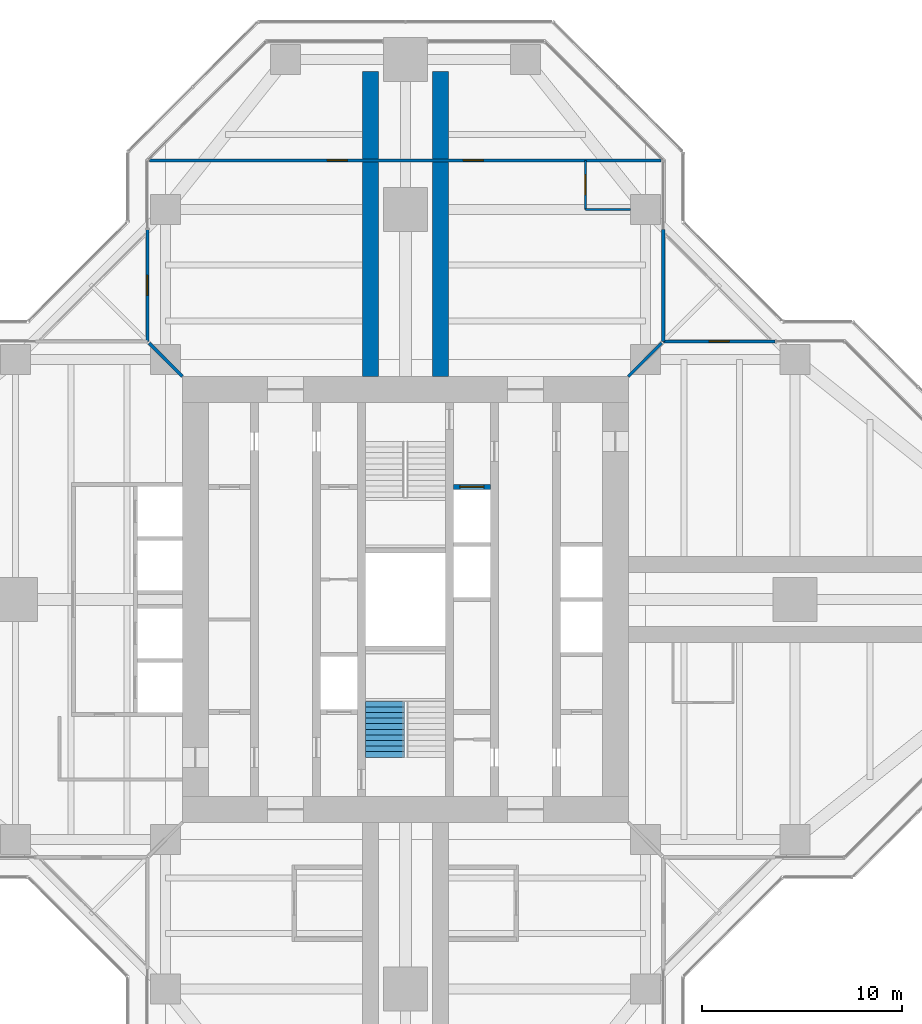
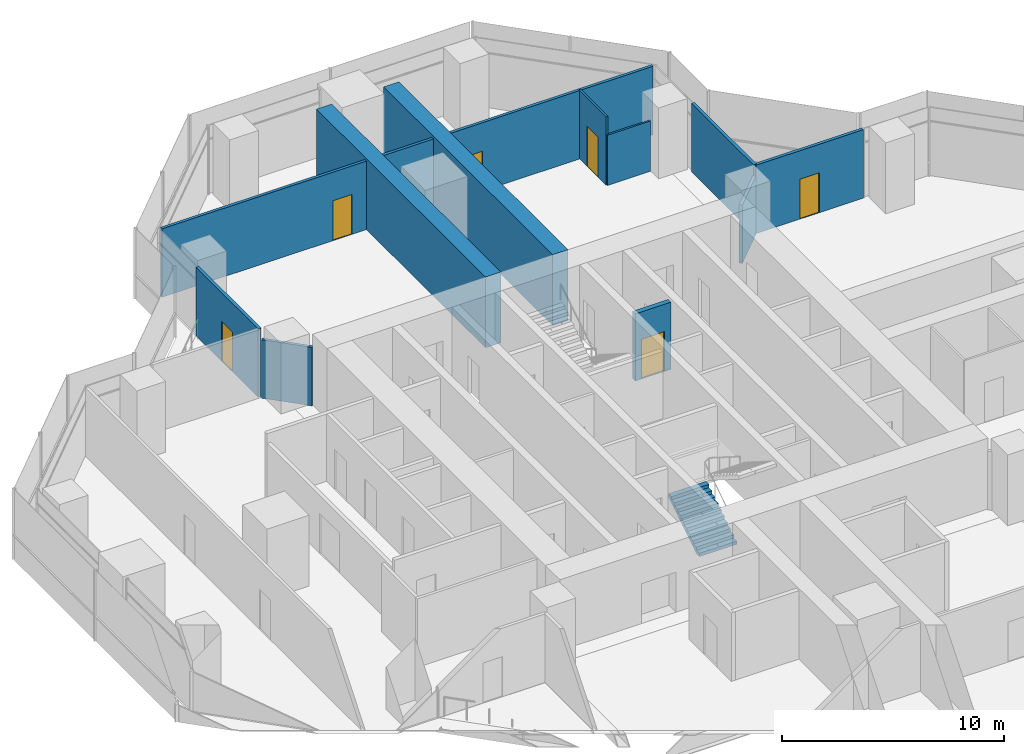
# One storey, part 15 of 17: 11 walls, 6 doors, 1 stair flight, 6 openings, 1 element without a shape of its own.
"""IFC4 building model written with IfcOpenShell, lengths in metres."""

import ifcopenshell
import ifcopenshell.guid

model = None  # the IFC model being written
_history = None  # IfcOwnerHistory: only IFC2X3 demands one
_inside = {}  # id of a spatial element -> (the spatial element, [elements in it])
_under = {}  # id of a project, library or spatial element -> (it, [spatial elements below it])
_declared = {}  # id of a project -> (the project, [libraries it declares])
_typed = {}  # id of a type object -> (the type object, [elements of that type])
_made_of = {}  # id of a material, layer set ... -> (it, [elements and type objects made of it])


def new_model(schema):
    """Start an empty IFC model of exactly this schema.

    Asked for "IFC4X3", IfcOpenShell would pick the latest addendum, in which some entities
    have other attributes; the version numbers below select the first issue.
    IFC2X3 requires an IfcOwnerHistory on every rooted entity: one is made here for all.
    """
    global model, _history
    if schema == "IFC4X3":
        model = ifcopenshell.file(schema_version=(4, 3, 0, 0))
    else:
        model = ifcopenshell.file(schema=schema)
    _inside.clear()
    _under.clear()
    _declared.clear()
    _typed.clear()
    _made_of.clear()
    _history = None
    if model.schema == "IFC2X3":
        org = make("IfcOrganization", Name="unknown")
        user = make(
            "IfcPersonAndOrganization",
            ThePerson=make("IfcPerson", FamilyName="unknown"),
            TheOrganization=org,
        )
        app = make(
            "IfcApplication",
            ApplicationDeveloper=org,
            Version="unknown",
            ApplicationFullName="unknown",
            ApplicationIdentifier="unknown",
        )
        _history = make(
            "IfcOwnerHistory",
            OwningUser=user,
            OwningApplication=app,
            ChangeAction="ADDED",
            CreationDate=0,
        )
    return model


def make(cls, **values):
    """One entity of the class cls with the attributes given. An attribute that is None is left unset."""
    return model.create_entity(
        cls, **{name: value for name, value in values.items() if value is not None}
    )


def rooted(cls, **values):
    """An entity with a GlobalId (a new one), such as an element, a storey or a relation."""
    return make(cls, GlobalId=ifcopenshell.guid.new(), OwnerHistory=_history, **values)


def si_unit(unit_type, name, prefix=None):
    """IfcSIUnit, for example si_unit("LENGTHUNIT", "METRE", prefix="MILLI")."""
    return make("IfcSIUnit", UnitType=unit_type, Prefix=prefix, Name=name)


def assignment(units):
    """IfcUnitAssignment: the units of a project."""
    return None if units is None else make("IfcUnitAssignment", Units=units)


def point(xyz):
    """IfcCartesianPoint."""
    return None if xyz is None else make("IfcCartesianPoint", Coordinates=xyz)


def direction(xyz):
    """IfcDirection."""
    return None if xyz is None else make("IfcDirection", DirectionRatios=xyz)


def frame(location, z_axis=None, x_axis=None):
    """IfcAxis2Placement3D, a coordinate frame: its origin and axes. An axis left out is left unset."""
    return make(
        "IfcAxis2Placement3D",
        Location=point(location),
        Axis=direction(z_axis),
        RefDirection=direction(x_axis),
    )


def frame_2d(location, x_axis=None):
    """IfcAxis2Placement2D, a coordinate frame in the plane: its origin and x axis."""
    return make(
        "IfcAxis2Placement2D", Location=point(location), RefDirection=direction(x_axis)
    )


def origin():
    """The frame at (0, 0, 0) with its axes left unset."""
    return frame((0.0, 0.0, 0.0))


def place(relative_to, where):
    """IfcLocalPlacement: puts the frame where relative to a parent placement (None: the world)."""
    return make(
        "IfcLocalPlacement", PlacementRelTo=relative_to, RelativePlacement=where
    )


def context(
    kind, dimensions, precision=None, world=None, true_north=None, identifier=None
):
    """IfcGeometricRepresentationContext, for example the 3D "Model" context."""
    return make(
        "IfcGeometricRepresentationContext",
        ContextIdentifier=identifier,
        ContextType=kind,
        CoordinateSpaceDimension=dimensions,
        Precision=precision,
        WorldCoordinateSystem=world,
        TrueNorth=true_north,
    )


def subcontext(parent, identifier, kind, view, scale=None):
    """IfcGeometricRepresentationSubContext, for example "Body" below "Model"."""
    return make(
        "IfcGeometricRepresentationSubContext",
        ContextIdentifier=identifier,
        ContextType=kind,
        ParentContext=parent,
        TargetScale=scale,
        TargetView=view,
    )


def project(units=None, contexts=None):
    """IfcProject with its units and contexts."""
    return rooted(
        "IfcProject",
        Name="project",
        RepresentationContexts=contexts,
        UnitsInContext=assignment(units),
    )


def spatial(cls, under=None, at=None, **own):
    """A site, building, storey or space (cls), placed at a placement, below another one or the project."""
    s = rooted(cls, ObjectPlacement=at, **own)
    if under is not None:
        _under.setdefault(under.id(), (under, []))[1].append(s)
    return s


def polyline(points):
    """IfcPolyline through the points."""
    return make("IfcPolyline", Points=[point(p) for p in points])


def profile(cls, at=None, kind="AREA", **sizes):
    """A parametric profile (cls). Its sizes go by their IFC names, for example OverallWidth=200.0."""
    return make(cls, ProfileType=kind, Position=at, **sizes)


def rectangle(**sizes):
    """IfcRectangleProfileDef."""
    return profile("IfcRectangleProfileDef", **sizes)


def outline(outer, holes=None, kind="AREA"):
    """IfcArbitraryClosedProfileDef: a profile drawn as a closed curve; with holes, ...WithVoids."""
    if holes is None:
        return make("IfcArbitraryClosedProfileDef", ProfileType=kind, OuterCurve=outer)
    return make(
        "IfcArbitraryProfileDefWithVoids",
        ProfileType=kind,
        OuterCurve=outer,
        InnerCurves=holes,
    )


def extrude(swept, where, along, depth):
    """IfcExtrudedAreaSolid: the profile swept, set in the frame where, extruded along a direction by depth."""
    return make(
        "IfcExtrudedAreaSolid",
        SweptArea=swept,
        Position=where,
        ExtrudedDirection=direction(along),
        Depth=depth,
    )


def shape(context_of_items, identifier, shape_type, items):
    """IfcShapeRepresentation: the items that make up one representation, for example the "Body"."""
    return make(
        "IfcShapeRepresentation",
        ContextOfItems=context_of_items,
        RepresentationIdentifier=identifier,
        RepresentationType=shape_type,
        Items=items,
    )


def material(Name=None, Category=None):
    """IfcMaterial."""
    return make("IfcMaterial", Name=Name, Category=Category)


def layer(
    of_material, thickness, ventilated=None, Name=None, Category=None, Priority=None
):
    """IfcMaterialLayer: one layer of a wall or slab, of a material (None: an air gap)."""
    return make(
        "IfcMaterialLayer",
        Material=of_material,
        LayerThickness=thickness,
        IsVentilated=ventilated,
        Name=Name,
        Category=Category,
        Priority=Priority,
    )


def layer_set(layers, Name=None):
    """IfcMaterialLayerSet."""
    return make("IfcMaterialLayerSet", MaterialLayers=layers, LayerSetName=Name)


def made_of(thing, what):
    """Note that an element or type object is made of a material, layer set ...; save() writes the relation."""
    if what is not None:
        _made_of.setdefault(what.id(), (what, []))[1].append(thing)
    return thing


def type_object(cls, material=None, **own):
    """A type object (cls), such as IfcWallType, which elements share."""
    return made_of(rooted(cls, **own), material)


def element(
    cls,
    number,
    at=None,
    inside=None,
    cuts=None,
    type_object=None,
    material=None,
    context=None,
    identifier="Body",
    shape_type=None,
    held_by="IfcProductDefinitionShape",
    body=None,
    shapes=None,
    **own,
):
    """One element of the class cls, such as IfcWall. Its Tag is "e" and its number.

    at: its placement. inside: the storey or other place that contains it. cuts: it is an
    opening in that element (IfcRelVoidsElement). A single representation is given by context,
    identifier, shape_type and body (its items); several are given by shapes. held_by: the class
    of the entity that holds the representations. save() writes the other relations.
    """
    e = rooted(cls, Tag="e%d" % number, ObjectPlacement=at, **own)
    if body is not None:
        shapes = [shape(context, identifier, shape_type, body)]
    if shapes is not None:
        e.Representation = make(held_by, Representations=shapes)
    if inside is not None:
        _inside.setdefault(inside.id(), (inside, []))[1].append(e)
    if cuts is not None:
        rooted(
            "IfcRelVoidsElement", RelatingBuildingElement=cuts, RelatedOpeningElement=e
        )
    if type_object is not None:
        _typed.setdefault(type_object.id(), (type_object, []))[1].append(e)
    return made_of(e, material)


def fill(opening, filler):
    """IfcRelFillsElement: the door or window that sits in an opening."""
    return rooted(
        "IfcRelFillsElement",
        RelatingOpeningElement=opening,
        RelatedBuildingElement=filler,
    )


def aggregate(whole, parts):
    """IfcRelAggregates: a whole, such as a stair, and the parts it consists of."""
    return rooted("IfcRelAggregates", RelatingObject=whole, RelatedObjects=parts)


def save(model, path):
    """Write the relations noted so far, then the file.

    IfcRelAggregates (storeys below a building ...), IfcRelContainedInSpatialStructure (elements
    in a storey), IfcRelDefinesByType, IfcRelAssociatesMaterial and IfcRelDeclares: one each for
    every whole, place, type object, material and project.
    """
    for whole, parts in _under.values():
        aggregate(whole, parts)
    for where, things in _inside.values():
        rooted(
            "IfcRelContainedInSpatialStructure",
            RelatedElements=things,
            RelatingStructure=where,
        )
    for kind, things in _typed.values():
        rooted("IfcRelDefinesByType", RelatedObjects=things, RelatingType=kind)
    for what, things in _made_of.values():
        rooted("IfcRelAssociatesMaterial", RelatedObjects=things, RelatingMaterial=what)
    for by, libraries in _declared.values():
        rooted("IfcRelDeclares", RelatingContext=by, RelatedDefinitions=libraries)
    model.write(path)


model = new_model("IFC4")

# Units and contexts
model_context = context("Model", 3, precision=1e-05, world=origin(), true_north=direction((0.0, 1.0)))
body_context = subcontext(model_context, "Body", "Model", "MODEL_VIEW")
ifc_project = project(units=[si_unit("LENGTHUNIT", "METRE"), si_unit("AREAUNIT", "SQUARE_METRE"), si_unit("VOLUMEUNIT", "CUBIC_METRE"), si_unit("PLANEANGLEUNIT", "RADIAN"), si_unit("MASSUNIT", "GRAM", prefix="KILO")], contexts=[model_context])

# Site, building, storey
site_placement = place(None, origin())
site = spatial("IfcSite", under=ifc_project, at=site_placement, CompositionType="ELEMENT")
building_placement = place(site_placement, origin())
building = spatial("IfcBuilding", under=site, at=building_placement, Name="Mizan Broadcast Tower", CompositionType="ELEMENT")
storey_placement = place(building_placement, frame((0.0, 0.0, 224.39990234375)))
storey = spatial("IfcBuildingStorey", under=building, at=storey_placement, Name="L52", CompositionType="ELEMENT", Elevation=224.39990234375)

# Wall, opening, door
ifc_material_1 = material(Name="Aluminium framed glazed screen", Category="aluminium")
ifc_layer_1 = layer(ifc_material_1, 0.159912109375)
ifc_layer_set_1 = layer_set([ifc_layer_1], Name="Aluminium framed glazed screen")
wall_type_1 = type_object("IfcWallType", Name="GLAZED SCREEN WALL 160", PredefinedType="SOLIDWALL", material=ifc_layer_set_1)
wall_1_placement = place(storey_placement, frame((18.5, 12.89990234375, 0.0), z_axis=(0.0, 0.0, 1.0), x_axis=(-1.0, 0.0, 0.0)))
wall_1 = element("IfcWall", 1, at=wall_1_placement, inside=storey, type_object=wall_type_1, Name="Winter garden screen L52 E", PredefinedType="SOLIDWALL", context=body_context, shape_type="SweptSolid", body=[
    extrude(rectangle(XDim=5.60009765625, YDim=0.159912109375, at=frame_2d((2.800048828125, 0.0))), origin(), (0.0, 0.0, 1.0), 3.77001953125),
])
opening_1_placement = place(wall_1_placement, frame((2.300048828125, 0.0, 0.0)))
opening_1 = element("IfcOpeningElement", 2, at=opening_1_placement, cuts=wall_1, Name="Opening WGD", PredefinedType="OPENING", context=body_context, shape_type="SweptSolid", body=[
    extrude(rectangle(XDim=1.0, YDim=2.199951171875, at=frame_2d((0.5, 1.10009765625))), frame((0.0, 0.08984375, 0.0), z_axis=(0.0, -1.0, 0.0), x_axis=(1.0, 0.0, 0.0)), (0.0, 0.0, 1.0), 0.179931640625),
])
ifc_material_2 = material(Name="Aluminium framed glazed door", Category="aluminium")
door_type_1 = type_object("IfcDoorType", Name="WINTER GARDEN DOOR 1000 GLAZED", OperationType="SINGLE_SWING_LEFT", PredefinedType="DOOR", material=ifc_material_2)
door_1_placement = place(opening_1_placement, origin())
door_1 = element("IfcDoor", 3, at=door_1_placement, inside=storey, type_object=door_type_1, Name="Winter garden door L52 E", OperationType="SINGLE_SWING_RIGHT", OverallHeight=2.199951171875, OverallWidth=1.0, PredefinedType="DOOR", context=body_context, shape_type="SweptSolid", body=[
    extrude(rectangle(XDim=1.0, YDim=2.199951171875, at=frame_2d((0.5, 1.10009765625))), frame((0.0, 0.02490234375, 0.0), z_axis=(0.0, -1.0, 0.0), x_axis=(1.0, 0.0, 0.0)), (0.0, 0.0, 1.0), 0.050048828125),
])
fill(opening_1, door_1)

# Wall
wall_2_placement = place(storey_placement, frame((12.89990234375, 12.89990234375, 0.0), z_axis=(0.0, 0.0, 1.0), x_axis=(0.0, 1.0, 0.0)))
element("IfcWall", 4, at=wall_2_placement, inside=storey, type_object=wall_type_1, Name="Winter garden screen L52 N", PredefinedType="SOLIDWALL", context=body_context, shape_type="SweptSolid", body=[
    extrude(rectangle(XDim=5.60009765625, YDim=0.159912109375, at=frame_2d((2.800048828125, 0.0))), origin(), (0.0, 0.0, 1.0), 3.77001953125),
])

# Wall, opening, door
wall_3_placement = place(storey_placement, frame((-12.89990234375, 18.5, 0.0), z_axis=(0.0, 0.0, 1.0), x_axis=(0.0, -1.0, 0.0)))
wall_3 = element("IfcWall", 5, at=wall_3_placement, inside=storey, type_object=wall_type_1, Name="Winter garden screen L52 N", PredefinedType="SOLIDWALL", context=body_context, shape_type="SweptSolid", body=[
    extrude(rectangle(XDim=5.60009765625, YDim=0.159912109375, at=frame_2d((2.800048828125, 0.0))), origin(), (0.0, 0.0, 1.0), 3.77001953125),
])
opening_2_placement = place(wall_3_placement, frame((2.300048828125, 0.0, 0.0)))
opening_2 = element("IfcOpeningElement", 6, at=opening_2_placement, cuts=wall_3, Name="Opening WGD", PredefinedType="OPENING", context=body_context, shape_type="SweptSolid", body=[
    extrude(rectangle(XDim=1.0, YDim=2.199951171875, at=frame_2d((0.5, 1.10009765625))), frame((0.0, 0.08984375, 0.0), z_axis=(0.0, -1.0, 0.0), x_axis=(1.0, 0.0, 0.0)), (0.0, 0.0, 1.0), 0.179931640625),
])
door_2_placement = place(opening_2_placement, origin())
door_2 = element("IfcDoor", 7, at=door_2_placement, inside=storey, type_object=door_type_1, Name="Winter garden door L52 N", OperationType="SINGLE_SWING_RIGHT", OverallHeight=2.199951171875, OverallWidth=1.0, PredefinedType="DOOR", context=body_context, shape_type="SweptSolid", body=[
    extrude(rectangle(XDim=1.0, YDim=2.199951171875, at=frame_2d((0.5, 1.10009765625))), frame((0.0, 0.02490234375, 0.0), z_axis=(0.0, -1.0, 0.0), x_axis=(1.0, 0.0, 0.0)), (0.0, 0.0, 1.0), 0.050048828125),
])
fill(opening_2, door_2)

ifc_material_3 = material(Name="Concrete blockwork", Category="masonry")
ifc_layer_2 = layer(ifc_material_3, 0.25)
ifc_layer_set_2 = layer_set([ifc_layer_2], Name="Concrete blockwork")
wall_type_2 = type_object("IfcWallType", Name="LOBBY ENCLOSURE WALL 250", PredefinedType="SOLIDWALL", material=ifc_layer_set_2)
wall_4_placement = place(storey_placement, frame((2.39990234375, 5.625, 0.0), z_axis=(0.0, 0.0, 1.0), x_axis=(1.0, 0.0, 0.0)))
wall_4 = element("IfcWall", 8, at=wall_4_placement, inside=storey, type_object=wall_type_2, Name="Lobby enclosure wall CORE/BE2N", PredefinedType="SOLIDWALL", context=body_context, shape_type="SweptSolid", body=[
    extrude(rectangle(XDim=1.85009765625, YDim=0.25, at=frame_2d((0.925048828125, 0.0))), origin(), (0.0, 0.0, 1.0), 3.7001953125),
])
opening_3_placement = place(wall_4_placement, frame((0.324951171875, 0.0, 0.0)))
opening_3 = element("IfcOpeningElement", 9, at=opening_3_placement, cuts=wall_4, Name="Opening LDF", PredefinedType="OPENING", context=body_context, shape_type="SweptSolid", body=[
    extrude(rectangle(XDim=1.199951171875, YDim=2.199951171875, at=frame_2d((0.60009765625, 1.10009765625))), frame((0.0, 0.135009765625, 0.0), z_axis=(0.0, -1.0, 0.0), x_axis=(1.0, 0.0, 0.0)), (0.0, 0.0, 1.0), 0.27001953125),
])
ifc_material_4 = material(Name="Steel door leaf in steel frame", Category="steel")
door_type_2 = type_object("IfcDoorType", Name="FIREFIGHTING LIFT LANDING DOOR 1200", OperationType="SLIDING_TO_LEFT", PredefinedType="DOOR", material=ifc_material_4)
door_3_placement = place(opening_3_placement, origin())
door_3 = element("IfcDoor", 10, at=door_3_placement, inside=storey, type_object=door_type_2, Name="Landing door FF2", OperationType="SLIDING_TO_LEFT", OverallHeight=2.199951171875, OverallWidth=1.199951171875, PredefinedType="DOOR", context=body_context, shape_type="SweptSolid", body=[
    extrude(rectangle(XDim=1.199951171875, YDim=2.199951171875, at=frame_2d((0.60009765625, 1.10009765625))), frame((0.0, 0.02490234375, 0.0), z_axis=(0.0, -1.0, 0.0), x_axis=(1.0, 0.0, 0.0)), (0.0, 0.0, 1.0), 0.050048828125),
])
fill(opening_3, door_3)

# Wall, openings, doors
ifc_material_5 = material(Name="Gypsum board on steel studs", Category="steel")
ifc_layer_3 = layer(ifc_material_5, 0.14990234375)
ifc_layer_set_3 = layer_set([ifc_layer_3], Name="Gypsum board on steel studs")
wall_type_3 = type_object("IfcWallType", Name="PARTITION 150", PredefinedType="PARTITIONING", material=ifc_layer_set_3)
wall_5_placement = place(storey_placement, frame((12.786376953125, 21.958984375, 0.0), z_axis=(0.0, 0.0, 1.0), x_axis=(-1.0, 0.0, 0.0)))
wall_5 = element("IfcWall", 11, at=wall_5_placement, inside=storey, type_object=wall_type_3, Name="Partition PT/NX1", PredefinedType="PARTITIONING", context=body_context, shape_type="SweptSolid", body=[
    extrude(rectangle(XDim=25.57275390625, YDim=0.14990234375, at=frame_2d((12.786376953125, 0.0))), origin(), (0.0, 0.0, 1.0), 3.77001953125),
])
opening_4_placement = place(wall_5_placement, frame((15.6865234375, 0.0, 0.0)))
opening_4 = element("IfcOpeningElement", 12, at=opening_4_placement, cuts=wall_5, Name="Opening D10", PredefinedType="OPENING", context=body_context, shape_type="SweptSolid", body=[
    extrude(rectangle(XDim=1.0, YDim=2.199951171875, at=frame_2d((0.5, 1.10009765625))), frame((0.0, 0.0849609375, 0.0), z_axis=(0.0, -1.0, 0.0), x_axis=(1.0, 0.0, 0.0)), (0.0, 0.0, 1.0), 0.169921875),
])
opening_5_placement = place(wall_5_placement, frame((8.886474609375, 0.0, 0.0)))
opening_5 = element("IfcOpeningElement", 13, at=opening_5_placement, cuts=wall_5, Name="Opening D10", PredefinedType="OPENING", context=body_context, shape_type="SweptSolid", body=[
    extrude(rectangle(XDim=1.0, YDim=2.199951171875, at=frame_2d((0.5, 1.10009765625))), frame((0.0, 0.0849609375, 0.0), z_axis=(0.0, -1.0, 0.0), x_axis=(1.0, 0.0, 0.0)), (0.0, 0.0, 1.0), 0.169921875),
])
ifc_material_6 = material(Name="Timber door leaf in aluminium frame", Category="wood")
door_type_3 = type_object("IfcDoorType", Name="ROOM DOOR 1000", OperationType="SINGLE_SWING_LEFT", PredefinedType="DOOR", material=ifc_material_6)
door_4_placement = place(opening_4_placement, origin())
door_4 = element("IfcDoor", 14, at=door_4_placement, inside=storey, type_object=door_type_3, Name="Office door", OperationType="SINGLE_SWING_RIGHT", OverallHeight=2.199951171875, OverallWidth=1.0, PredefinedType="DOOR", context=body_context, shape_type="SweptSolid", body=[
    extrude(rectangle(XDim=1.0, YDim=2.199951171875, at=frame_2d((0.5, 1.10009765625))), frame((0.0, 0.02490234375, 0.0), z_axis=(0.0, -1.0, 0.0), x_axis=(1.0, 0.0, 0.0)), (0.0, 0.0, 1.0), 0.050048828125),
])
fill(opening_4, door_4)
door_5_placement = place(opening_5_placement, origin())
door_5 = element("IfcDoor", 15, at=door_5_placement, inside=storey, type_object=door_type_3, Name="Office door", OperationType="SINGLE_SWING_LEFT", OverallHeight=2.199951171875, OverallWidth=1.0, PredefinedType="DOOR", context=body_context, shape_type="SweptSolid", body=[
    extrude(rectangle(XDim=1.0, YDim=2.199951171875, at=frame_2d((0.5, 1.10009765625))), frame((0.0, 0.02490234375, 0.0), z_axis=(0.0, -1.0, 0.0), x_axis=(1.0, 0.0, 0.0)), (0.0, 0.0, 1.0), 0.050048828125),
])
fill(opening_5, door_5)

# Walls
for number, where, z_axis, x_axis, name in (
    (16, (11.14990234375, 11.14990234375, 0.0), (0.0, 0.0, 1.0), (0.707106781187, 0.707106781187, 0.0), "Partition PT/DGEN"),
    (17, (-11.14990234375, 11.14990234375, 0.0), (0.0, 0.0, 1.0), (-0.707106781187, 0.707106781187, 0.0), "Partition PT/DGWN"),
):
    element("IfcWall", number, at=place(storey_placement, frame(where, z_axis=z_axis, x_axis=x_axis)), inside=storey, type_object=wall_type_3, Name=name, PredefinedType="PARTITIONING", context=body_context, shape_type="SweptSolid", body=[
        extrude(rectangle(XDim=2.362060546875, YDim=0.14990234375, at=frame_2d((1.18115234375, 0.0))), origin(), (0.0, 0.0, 1.0), 3.22021484375),
    ])

# Wall, opening, door
ifc_material_7 = material(Name="Glazed aluminium partition on aluminium track", Category="aluminium")
ifc_layer_4 = layer(ifc_material_7, 0.10009765625)
ifc_layer_set_4 = layer_set([ifc_layer_4], Name="Glazed aluminium partition on aluminium track")
wall_type_4 = type_object("IfcWallType", Name="PARTITION GLAZED OFFICE FRONT 100", PredefinedType="PARTITIONING", material=ifc_layer_set_4)
wall_6_placement = place(storey_placement, frame((9.0, 19.5, 0.0), z_axis=(0.0, 0.0, 1.0), x_axis=(0.0, 1.0, 0.0)))
wall_6 = element("IfcWall", 18, at=wall_6_placement, inside=storey, type_object=wall_type_4, Name="Glazed office front PT/NCN0", PredefinedType="PARTITIONING", context=body_context, shape_type="SweptSolid", body=[
    extrude(rectangle(XDim=2.458984375, YDim=0.10009765625, at=frame_2d((1.2294921875, 0.0))), origin(), (0.0, 0.0, 1.0), 3.77001953125),
])
opening_6_placement = place(wall_6_placement, frame((0.7294921875, 0.0, 0.0)))
opening_6 = element("IfcOpeningElement", 19, at=opening_6_placement, cuts=wall_6, Name="Opening D10O", PredefinedType="OPENING", context=body_context, shape_type="SweptSolid", body=[
    extrude(rectangle(XDim=1.0, YDim=2.199951171875, at=frame_2d((0.5, 1.10009765625))), frame((0.0, 0.06005859375, 0.0), z_axis=(0.0, -1.0, 0.0), x_axis=(1.0, 0.0, 0.0)), (0.0, 0.0, 1.0), 0.1201171875),
])
ifc_material_8 = material(Name="Timber door leaf in aluminium frame", Category="wood")
door_type_4 = type_object("IfcDoorType", Name="OFFICE DOOR 1000 GLAZED", OperationType="SINGLE_SWING_LEFT", PredefinedType="DOOR", material=ifc_material_8)
door_6_placement = place(opening_6_placement, origin())
door_6 = element("IfcDoor", 20, at=door_6_placement, inside=storey, type_object=door_type_4, Name="Office door", OperationType="SINGLE_SWING_LEFT", OverallHeight=2.199951171875, OverallWidth=1.0, PredefinedType="DOOR", context=body_context, shape_type="SweptSolid", body=[
    extrude(rectangle(XDim=1.0, YDim=2.199951171875, at=frame_2d((0.5, 1.10009765625))), frame((0.0, 0.02490234375, 0.0), z_axis=(0.0, -1.0, 0.0), x_axis=(1.0, 0.0, 0.0)), (0.0, 0.0, 1.0), 0.050048828125),
])
fill(opening_6, door_6)

# Walls
wall_7_placement = place(storey_placement, frame((9.0, 19.5, 0.0), z_axis=(0.0, 0.0, 1.0), x_axis=(1.0, 0.0, 0.0)))
element("IfcWall", 21, at=wall_7_placement, inside=storey, type_object=wall_type_4, Name="Glazed office front PT/NQN1950", PredefinedType="PARTITIONING", context=body_context, shape_type="SweptSolid", body=[
    extrude(rectangle(XDim=2.25, YDim=0.10009765625, at=frame_2d((1.125, 0.0))), origin(), (0.0, 0.0, 1.0), 2.77001953125),
])
ifc_material_9 = material(Name="Concrete C70/85", Category="concrete")
ifc_layer_5 = layer(ifc_material_9, 0.800048828125)
ifc_layer_set_5 = layer_set([ifc_layer_5], Name="Concrete C70/85")
wall_type_5 = type_object("IfcWallType", Name="SPINE WALL 800", PredefinedType="SHEAR", material=ifc_layer_set_5)
for number, where, z_axis, x_axis, name in (
    (22, (1.75, 11.14990234375, 0.0), (0.0, 0.0, 1.0), (0.0, 1.0, 0.0), "Spine wall NR L52"),
    (23, (-1.75, 11.14990234375, 0.0), (0.0, 0.0, 1.0), (0.0, 1.0, 0.0), "Spine wall NL L52"),
):
    element("IfcWall", number, at=place(storey_placement, frame(where, z_axis=z_axis, x_axis=x_axis)), inside=storey, type_object=wall_type_5, Name=name, PredefinedType="SHEAR", context=body_context, shape_type="SweptSolid", body=[
        extrude(rectangle(XDim=15.25, YDim=0.800048828125, at=frame_2d((7.625, 0.0))), origin(), (0.0, 0.0, 1.0), 3.900146484375),
    ])

# Stair, stair flight
ifc_material_10 = material(Name="Concrete C40/50", Category="concrete")
stair_type = type_object("IfcStairType", Name="EXIT STAIR", PredefinedType="HALF_TURN_STAIR", material=ifc_material_10)
stair_placement = place(storey_placement, origin())
stair = element("IfcStair", 24, at=stair_placement, inside=storey, type_object=stair_type, Name="Stair A L52", PredefinedType="HALF_TURN_STAIR")
ifc_material_11 = material(Name="Concrete C40/50", Category="concrete")
stair_flight_type = type_object("IfcStairFlightType", Name="EXIT STAIR FLIGHT", PredefinedType="STRAIGHT", material=ifc_material_11)
stair_flight_placement = place(storey_placement, frame((-1.02490234375, -7.89990234375, 0.0), z_axis=(0.0, 0.0, 1.0), x_axis=(0.0, 1.0, 0.0)))
stair_flight = element("IfcStairFlight", 25, at=stair_flight_placement, type_object=stair_flight_type, Name="A flight 1", NumberOfRisers=11, NumberOfTreads=10, PredefinedType="STRAIGHT", RiserHeight=0.177272727, TreadLength=0.28, context=body_context, shape_type="SweptSolid", body=[
    extrude(outline(polyline([(0.0, 0.0), (0.0, 0.17724609375), (0.280029296875, 0.17724609375), (0.280029296875, 0.3544921875), (0.56005859375, 0.3544921875), (0.56005859375, 0.53173828125), (0.840087890625, 0.53173828125), (0.840087890625, 0.708984375), (1.1201171875, 0.708984375), (1.1201171875, 0.886474609375), (1.39990234375, 0.886474609375), (1.39990234375, 1.063720703125), (1.679931640625, 1.063720703125), (1.679931640625, 1.240966796875), (1.9599609375, 1.240966796875), (1.9599609375, 1.418212890625), (2.239990234375, 1.418212890625), (2.239990234375, 1.595458984375), (2.52001953125, 1.595458984375), (2.52001953125, 1.772705078125), (2.800048828125, 1.772705078125), (2.800048828125, 1.949951171875), (2.800048828125, 1.59521484375), (0.2802734375, 0.0), (0.0, 0.0)])), frame((0.0, 0.97509765625, 0.0), z_axis=(0.0, -1.0, 0.0), x_axis=(1.0, 0.0, 0.0)), (0.0, 0.0, 1.0), 0.4873046875),
    extrude(outline(polyline([(0.0, 0.0), (0.0, 0.17724609375), (0.280029296875, 0.17724609375), (0.280029296875, 0.3544921875), (0.56005859375, 0.3544921875), (0.56005859375, 0.53173828125), (0.840087890625, 0.53173828125), (0.840087890625, 0.708984375), (1.1201171875, 0.708984375), (1.1201171875, 0.886474609375), (1.39990234375, 0.886474609375), (1.39990234375, 1.063720703125), (1.679931640625, 1.063720703125), (1.679931640625, 1.240966796875), (1.9599609375, 1.240966796875), (1.9599609375, 1.418212890625), (2.239990234375, 1.418212890625), (2.239990234375, 1.595458984375), (2.52001953125, 1.595458984375), (2.52001953125, 1.772705078125), (2.800048828125, 1.772705078125), (2.800048828125, 1.949951171875), (2.800048828125, 1.59521484375), (0.2802734375, 0.0), (0.0, 0.0)])), frame((0.0, 0.4873046875, 0.0), z_axis=(0.0, -1.0, 0.0), x_axis=(1.0, 0.0, 0.0)), (0.0, 0.0, 1.0), 0.2431640625),
    extrude(outline(polyline([(0.0, 0.0), (0.0, 0.17724609375), (0.280029296875, 0.17724609375), (0.280029296875, 0.3544921875), (0.56005859375, 0.3544921875), (0.56005859375, 0.53173828125), (0.840087890625, 0.53173828125), (0.840087890625, 0.708984375), (1.1201171875, 0.708984375), (1.1201171875, 0.886474609375), (1.39990234375, 0.886474609375), (1.39990234375, 1.063720703125), (1.679931640625, 1.063720703125), (1.679931640625, 1.240966796875), (1.9599609375, 1.240966796875), (1.9599609375, 1.418212890625), (2.239990234375, 1.418212890625), (2.239990234375, 1.595458984375), (2.52001953125, 1.595458984375), (2.52001953125, 1.772705078125), (2.800048828125, 1.772705078125), (2.800048828125, 1.949951171875), (2.800048828125, 1.59521484375), (0.2802734375, 0.0), (0.0, 0.0)])), frame((0.0, 0.24365234375, 0.0), z_axis=(0.0, -1.0, 0.0), x_axis=(1.0, 0.0, 0.0)), (0.0, 0.0, 1.0), 0.121337890625),
    extrude(outline(polyline([(0.0, 0.0), (0.0, 0.17724609375), (0.280029296875, 0.17724609375), (0.280029296875, 0.3544921875), (0.56005859375, 0.3544921875), (0.56005859375, 0.53173828125), (0.840087890625, 0.53173828125), (0.840087890625, 0.708984375), (1.1201171875, 0.708984375), (1.1201171875, 0.886474609375), (1.39990234375, 0.886474609375), (1.39990234375, 1.063720703125), (1.679931640625, 1.063720703125), (1.679931640625, 1.240966796875), (1.9599609375, 1.240966796875), (1.9599609375, 1.418212890625), (2.239990234375, 1.418212890625), (2.239990234375, 1.595458984375), (2.52001953125, 1.595458984375), (2.52001953125, 1.772705078125), (2.800048828125, 1.772705078125), (2.800048828125, 1.949951171875), (2.800048828125, 1.59521484375), (0.2802734375, 0.0), (0.0, 0.0)])), frame((0.0, 0.121826171875, 0.0), z_axis=(0.0, -1.0, 0.0), x_axis=(1.0, 0.0, 0.0)), (0.0, 0.0, 1.0), 0.060546875),
    extrude(outline(polyline([(0.0, 0.0), (0.0, 0.17724609375), (0.280029296875, 0.17724609375), (0.280029296875, 0.3544921875), (0.56005859375, 0.3544921875), (0.56005859375, 0.53173828125), (0.840087890625, 0.53173828125), (0.840087890625, 0.708984375), (1.1201171875, 0.708984375), (1.1201171875, 0.886474609375), (1.39990234375, 0.886474609375), (1.39990234375, 1.063720703125), (1.679931640625, 1.063720703125), (1.679931640625, 1.240966796875), (1.9599609375, 1.240966796875), (1.9599609375, 1.418212890625), (2.239990234375, 1.418212890625), (2.239990234375, 1.595458984375), (2.52001953125, 1.595458984375), (2.52001953125, 1.772705078125), (2.800048828125, 1.772705078125), (2.800048828125, 1.949951171875), (2.800048828125, 1.59521484375), (0.2802734375, 0.0), (0.0, 0.0)])), frame((0.0, 0.060791015625, 0.0), z_axis=(0.0, -1.0, 0.0), x_axis=(1.0, 0.0, 0.0)), (0.0, 0.0, 1.0), 0.030029296875),
    extrude(outline(polyline([(0.0, 0.0), (0.0, 0.17724609375), (0.280029296875, 0.17724609375), (0.280029296875, 0.3544921875), (0.56005859375, 0.3544921875), (0.56005859375, 0.53173828125), (0.840087890625, 0.53173828125), (0.840087890625, 0.708984375), (1.1201171875, 0.708984375), (1.1201171875, 0.886474609375), (1.39990234375, 0.886474609375), (1.39990234375, 1.063720703125), (1.679931640625, 1.063720703125), (1.679931640625, 1.240966796875), (1.9599609375, 1.240966796875), (1.9599609375, 1.418212890625), (2.239990234375, 1.418212890625), (2.239990234375, 1.595458984375), (2.52001953125, 1.595458984375), (2.52001953125, 1.772705078125), (2.800048828125, 1.772705078125), (2.800048828125, 1.949951171875), (2.800048828125, 1.59521484375), (0.2802734375, 0.0), (0.0, 0.0)])), frame((0.0, 0.0302734375, 0.0), z_axis=(0.0, -1.0, 0.0), x_axis=(1.0, 0.0, 0.0)), (0.0, 0.0, 1.0), 0.060302734375),
    extrude(outline(polyline([(0.0, 0.0), (0.0, 0.17724609375), (0.280029296875, 0.17724609375), (0.280029296875, 0.3544921875), (0.56005859375, 0.3544921875), (0.56005859375, 0.53173828125), (0.840087890625, 0.53173828125), (0.840087890625, 0.708984375), (1.1201171875, 0.708984375), (1.1201171875, 0.886474609375), (1.39990234375, 0.886474609375), (1.39990234375, 1.063720703125), (1.679931640625, 1.063720703125), (1.679931640625, 1.240966796875), (1.9599609375, 1.240966796875), (1.9599609375, 1.418212890625), (2.239990234375, 1.418212890625), (2.239990234375, 1.595458984375), (2.52001953125, 1.595458984375), (2.52001953125, 1.772705078125), (2.800048828125, 1.772705078125), (2.800048828125, 1.949951171875), (2.800048828125, 1.59521484375), (0.2802734375, 0.0), (0.0, 0.0)])), frame((0.0, -0.030517578125, 0.0), z_axis=(0.0, -1.0, 0.0), x_axis=(1.0, 0.0, 0.0)), (0.0, 0.0, 1.0), 0.030029296875),
    extrude(outline(polyline([(0.0, 0.0), (0.0, 0.17724609375), (0.280029296875, 0.17724609375), (0.280029296875, 0.3544921875), (0.56005859375, 0.3544921875), (0.56005859375, 0.53173828125), (0.840087890625, 0.53173828125), (0.840087890625, 0.708984375), (1.1201171875, 0.708984375), (1.1201171875, 0.886474609375), (1.39990234375, 0.886474609375), (1.39990234375, 1.063720703125), (1.679931640625, 1.063720703125), (1.679931640625, 1.240966796875), (1.9599609375, 1.240966796875), (1.9599609375, 1.418212890625), (2.239990234375, 1.418212890625), (2.239990234375, 1.595458984375), (2.52001953125, 1.595458984375), (2.52001953125, 1.772705078125), (2.800048828125, 1.772705078125), (2.800048828125, 1.949951171875), (2.800048828125, 1.59521484375), (0.2802734375, 0.0), (0.0, 0.0)])), frame((0.0, -0.06103515625, 0.0), z_axis=(0.0, -1.0, 0.0), x_axis=(1.0, 0.0, 0.0)), (0.0, 0.0, 1.0), 0.060546875),
    extrude(outline(polyline([(0.0, 0.0), (0.0, 0.17724609375), (0.280029296875, 0.17724609375), (0.280029296875, 0.3544921875), (0.56005859375, 0.3544921875), (0.56005859375, 0.53173828125), (0.840087890625, 0.53173828125), (0.840087890625, 0.708984375), (1.1201171875, 0.708984375), (1.1201171875, 0.886474609375), (1.39990234375, 0.886474609375), (1.39990234375, 1.063720703125), (1.679931640625, 1.063720703125), (1.679931640625, 1.240966796875), (1.9599609375, 1.240966796875), (1.9599609375, 1.418212890625), (2.239990234375, 1.418212890625), (2.239990234375, 1.595458984375), (2.52001953125, 1.595458984375), (2.52001953125, 1.772705078125), (2.800048828125, 1.772705078125), (2.800048828125, 1.949951171875), (2.800048828125, 1.59521484375), (0.2802734375, 0.0), (0.0, 0.0)])), frame((0.0, -0.1220703125, 0.0), z_axis=(0.0, -1.0, 0.0), x_axis=(1.0, 0.0, 0.0)), (0.0, 0.0, 1.0), 0.121337890625),
    extrude(outline(polyline([(0.0, 0.0), (0.0, 0.17724609375), (0.280029296875, 0.17724609375), (0.280029296875, 0.3544921875), (0.56005859375, 0.3544921875), (0.56005859375, 0.53173828125), (0.840087890625, 0.53173828125), (0.840087890625, 0.708984375), (1.1201171875, 0.708984375), (1.1201171875, 0.886474609375), (1.39990234375, 0.886474609375), (1.39990234375, 1.063720703125), (1.679931640625, 1.063720703125), (1.679931640625, 1.240966796875), (1.9599609375, 1.240966796875), (1.9599609375, 1.418212890625), (2.239990234375, 1.418212890625), (2.239990234375, 1.595458984375), (2.52001953125, 1.595458984375), (2.52001953125, 1.772705078125), (2.800048828125, 1.772705078125), (2.800048828125, 1.949951171875), (2.800048828125, 1.59521484375), (0.2802734375, 0.0), (0.0, 0.0)])), frame((0.0, -0.243896484375, 0.0), z_axis=(0.0, -1.0, 0.0), x_axis=(1.0, 0.0, 0.0)), (0.0, 0.0, 1.0), 0.2431640625),
    extrude(outline(polyline([(0.0, 0.0), (0.0, 0.17724609375), (0.280029296875, 0.17724609375), (0.280029296875, 0.3544921875), (0.56005859375, 0.3544921875), (0.56005859375, 0.53173828125), (0.840087890625, 0.53173828125), (0.840087890625, 0.708984375), (1.1201171875, 0.708984375), (1.1201171875, 0.886474609375), (1.39990234375, 0.886474609375), (1.39990234375, 1.063720703125), (1.679931640625, 1.063720703125), (1.679931640625, 1.240966796875), (1.9599609375, 1.240966796875), (1.9599609375, 1.418212890625), (2.239990234375, 1.418212890625), (2.239990234375, 1.595458984375), (2.52001953125, 1.595458984375), (2.52001953125, 1.772705078125), (2.800048828125, 1.772705078125), (2.800048828125, 1.949951171875), (2.800048828125, 1.59521484375), (0.2802734375, 0.0), (0.0, 0.0)])), frame((0.0, -0.487548828125, 0.0), z_axis=(0.0, -1.0, 0.0), x_axis=(1.0, 0.0, 0.0)), (0.0, 0.0, 1.0), 0.4873046875),
])
aggregate(stair, [stair_flight])

save(model, "model.ifc")
